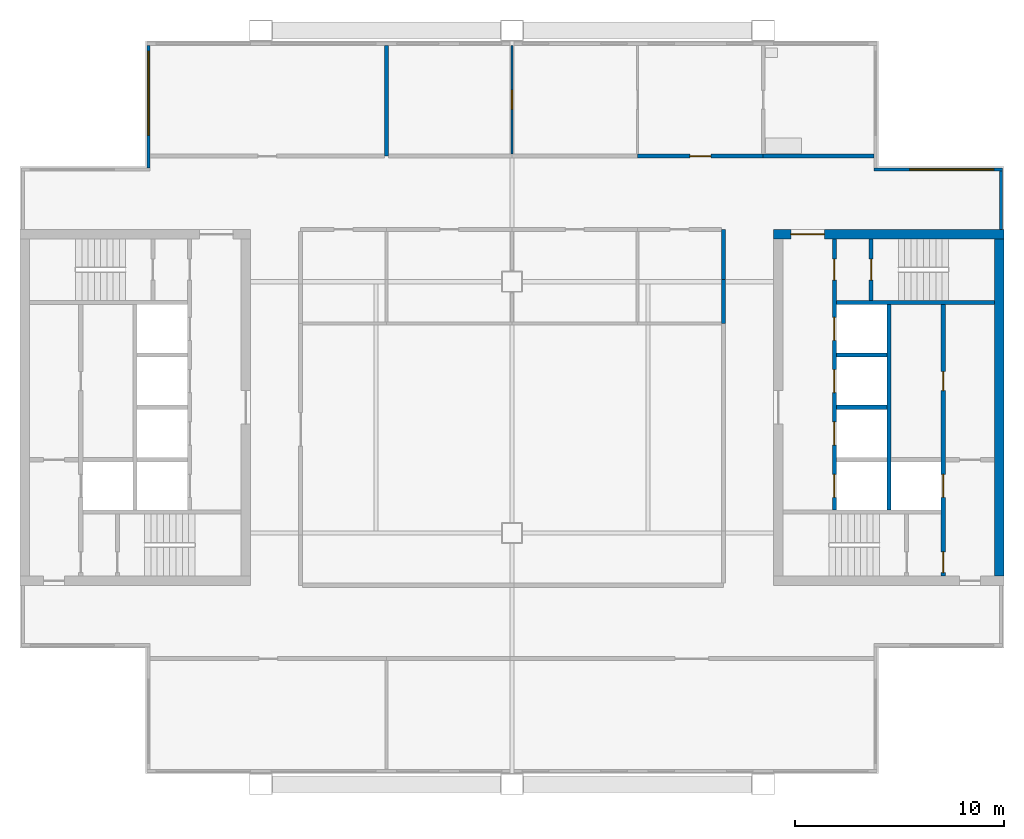
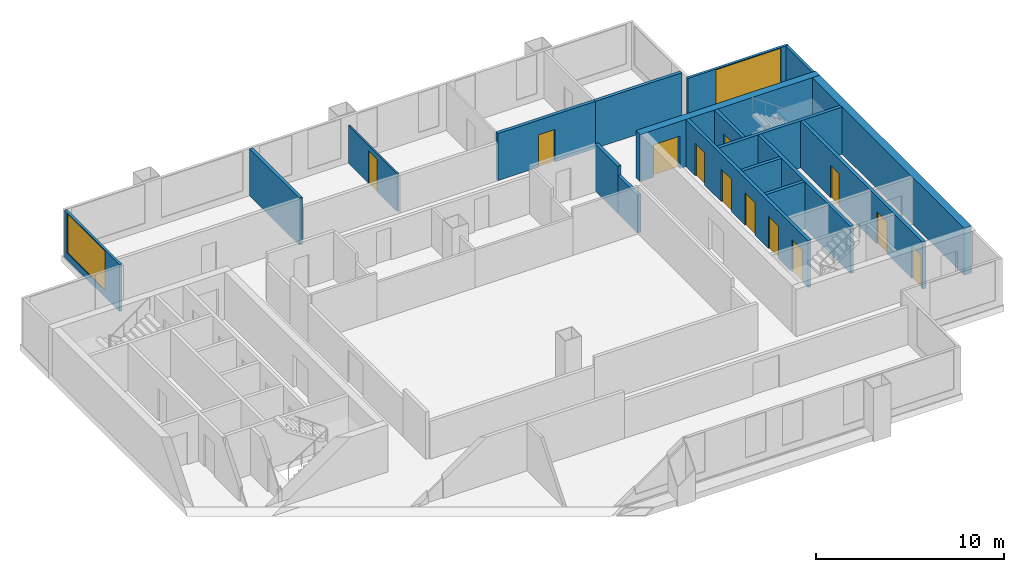
# One storey, part 4 of 7: 18 walls, 12 doors, 2 windows, 14 openings.
"""IFC4 building model written with IfcOpenShell, lengths in metres."""

from ifc_helpers import new_model, si_unit, direction, frame, frame_2d, origin, place, context, subcontext, project, spatial, rectangle, extrude, material, layer, layer_set, type_object, element, fill, save


model = new_model("IFC4")

# Units and contexts
model_context = context("Model", 3, precision=1e-05, world=origin(), true_north=direction((0.0, 1.0)))
body_context = subcontext(model_context, "Body", "Model", "MODEL_VIEW")
ifc_project = project(units=[si_unit("LENGTHUNIT", "METRE"), si_unit("AREAUNIT", "SQUARE_METRE"), si_unit("VOLUMEUNIT", "CUBIC_METRE"), si_unit("PLANEANGLEUNIT", "RADIAN"), si_unit("MASSUNIT", "GRAM", prefix="KILO")], contexts=[model_context])

# Site, building, storey
site_placement = place(None, origin())
site = spatial("IfcSite", under=ifc_project, at=site_placement, CompositionType="ELEMENT")
building_placement = place(site_placement, origin())
building = spatial("IfcBuilding", under=site, at=building_placement, Name="Kitamizu Gate Tower and Museum", CompositionType="ELEMENT")
storey_placement = place(building_placement, frame((0.0, 0.0, 242.10009765625)))
storey = spatial("IfcBuildingStorey", under=building, at=storey_placement, Name="L65", CompositionType="ELEMENT", Elevation=242.10009765625)

# Wall, opening, door
ifc_material_1 = material(Name="Concrete Fc42", Category="concrete")
ifc_layer_1 = layer(ifc_material_1, 0.449951171875)
ifc_layer_set_1 = layer_set([ifc_layer_1], Name="Concrete Fc42")
wall_type_1 = type_object("IfcWallType", Name="Core wall 450", PredefinedType="SHEAR", material=ifc_layer_set_1)
wall_1_placement = place(storey_placement, frame((59.5, 38.27490234375, 0.0), z_axis=(0.0, 0.0, 1.0), x_axis=(-1.0, 0.0, 0.0)))
wall_1 = element("IfcWall", 1, at=wall_1_placement, inside=storey, type_object=wall_type_1, Name="Core wall EN", PredefinedType="SHEAR", context=body_context, shape_type="SweptSolid", body=[
    extrude(rectangle(XDim=11.0, YDim=0.449951171875, at=frame_2d((5.5, 0.0))), origin(), (0.0, 0.0, 1.0), 3.0498046875),
])
opening_1_placement = place(wall_1_placement, frame((8.574951171875, 0.0, 0.0)))
opening_1 = element("IfcOpeningElement", 2, at=opening_1_placement, cuts=wall_1, Name="Opening L65-028", PredefinedType="OPENING", context=body_context, shape_type="SweptSolid", body=[
    extrude(rectangle(XDim=1.60009765625, YDim=2.10009765625, at=frame_2d((0.800048828125, 1.050048828125))), frame((0.0, 0.23486328125, 0.0), z_axis=(0.0, -1.0, 0.0), x_axis=(1.0, 0.0, 0.0)), (0.0, 0.0, 1.0), 0.469970703125),
])
ifc_material_2 = material(Name="Timber door set", Category="wood")
door_type_1 = type_object("IfcDoorType", Name="Entrance door 1600", OperationType="DOUBLE_DOOR_SINGLE_SWING", PredefinedType="DOOR", material=ifc_material_2)
door_1_placement = place(opening_1_placement, origin())
door_1 = element("IfcDoor", 3, at=door_1_placement, inside=storey, type_object=door_type_1, Name="Lobby door L65-028", OperationType="DOUBLE_DOOR_SINGLE_SWING", OverallHeight=2.10009765625, OverallWidth=1.60009765625, PredefinedType="DOOR", context=body_context, shape_type="SweptSolid", body=[
    extrude(rectangle(XDim=1.60009765625, YDim=2.10009765625, at=frame_2d((0.800048828125, 1.050048828125))), frame((0.0, 0.02490234375, 0.0), z_axis=(0.0, -1.0, 0.0), x_axis=(1.0, 0.0, 0.0)), (0.0, 0.0, 1.0), 0.050048828125),
])
fill(opening_1, door_1)

# Wall
wall_2_placement = place(storey_placement, frame((59.27490234375, 21.949951171875, 0.0), z_axis=(0.0, 0.0, 1.0), x_axis=(0.0, 1.0, 0.0)))
element("IfcWall", 4, at=wall_2_placement, inside=storey, type_object=wall_type_1, Name="Core wall EOUT", PredefinedType="SHEAR", context=body_context, shape_type="SweptSolid", body=[
    extrude(rectangle(XDim=16.10009765625, YDim=0.449951171875, at=frame_2d((8.050048828125, 0.0))), origin(), (0.0, 0.0, 1.0), 3.0498046875),
])

# Wall, opening, door
ifc_material_3 = material(Name="Gypsum board on galvanised stud")
ifc_layer_2 = layer(ifc_material_3, 0.10009765625)
ifc_layer_set_2 = layer_set([ifc_layer_2], Name="Gypsum board on galvanised stud")
wall_type_2 = type_object("IfcWallType", Name="Partition 100 NOT RATED", PredefinedType="PARTITIONING", material=ifc_layer_set_2)
wall_3_placement = place(storey_placement, frame((36.0, 42.10009765625, 0.0), z_axis=(0.0, 0.0, 1.0), x_axis=(0.0, 1.0, 0.0)))
wall_3 = element("IfcWall", 5, at=wall_3_placement, inside=storey, type_object=wall_type_2, Name="Partition L65-003", PredefinedType="PARTITIONING", context=body_context, shape_type="SweptSolid", body=[
    extrude(rectangle(XDim=5.179931640625, YDim=0.10009765625, at=frame_2d((2.58984375, 0.0))), origin(), (0.0, 0.0, 1.0), 2.449951171875),
])
opening_2_placement = place(wall_3_placement, frame((2.139892578125, 0.0, 0.0)))
opening_2 = element("IfcOpeningElement", 6, at=opening_2_placement, cuts=wall_3, Name="Opening L65-003", PredefinedType="OPENING", context=body_context, shape_type="SweptSolid", body=[
    extrude(rectangle(XDim=0.89990234375, YDim=2.10009765625, at=frame_2d((0.449951171875, 1.050048828125))), frame((0.0, 0.06005859375, 0.0), z_axis=(0.0, -1.0, 0.0), x_axis=(1.0, 0.0, 0.0)), (0.0, 0.0, 1.0), 0.1201171875),
])
ifc_material_4 = material(Name="Timber door set", Category="wood")
door_type_2 = type_object("IfcDoorType", Name="Room door 900", OperationType="NOTDEFINED", PredefinedType="DOOR", material=ifc_material_4)
door_2_placement = place(opening_2_placement, origin())
door_2 = element("IfcDoor", 7, at=door_2_placement, inside=storey, type_object=door_type_2, Name="Door L65-003", OperationType="SINGLE_SWING_RIGHT", OverallHeight=2.10009765625, OverallWidth=0.89990234375, PredefinedType="DOOR", context=body_context, shape_type="SweptSolid", body=[
    extrude(rectangle(XDim=0.89990234375, YDim=2.10009765625, at=frame_2d((0.449951171875, 1.050048828125))), frame((0.0, 0.02490234375, 0.0), z_axis=(0.0, -1.0, 0.0), x_axis=(1.0, 0.0, 0.0)), (0.0, 0.0, 1.0), 0.050048828125),
])
fill(opening_2, door_2)

# Wall
ifc_material_5 = material(Name="Gypsum board on galvanised stud")
ifc_layer_3 = layer(ifc_material_5, 0.199951171875)
ifc_layer_set_3 = layer_set([ifc_layer_3], Name="Gypsum board on galvanised stud")
wall_type_3 = type_object("IfcWallType", Name="Partition 200", PredefinedType="PARTITIONING", material=ifc_layer_set_3)
wall_4_placement = place(storey_placement, frame((30.0, 42.0, 0.0), z_axis=(0.0, 0.0, 1.0), x_axis=(0.0, 1.0, 0.0)))
element("IfcWall", 8, at=wall_4_placement, inside=storey, type_object=wall_type_3, Name="Partition L65-001", PredefinedType="PARTITIONING", context=body_context, shape_type="SweptSolid", body=[
    extrude(rectangle(XDim=5.280029296875, YDim=0.199951171875, at=frame_2d((2.64013671875, 0.0))), origin(), (0.0, 0.0, 1.0), 3.0498046875),
])

# Wall, opening, door
wall_5_placement = place(storey_placement, frame((42.0, 42.0, 0.0), z_axis=(0.0, 0.0, 1.0), x_axis=(1.0, 0.0, 0.0)))
wall_5 = element("IfcWall", 9, at=wall_5_placement, inside=storey, type_object=wall_type_3, Name="Partition L65-008", PredefinedType="PARTITIONING", context=body_context, shape_type="SweptSolid", body=[
    extrude(rectangle(XDim=6.0, YDim=0.199951171875, at=frame_2d((3.0, 0.0))), origin(), (0.0, 0.0, 1.0), 3.0498046875),
])
opening_3_placement = place(wall_5_placement, frame((2.5, 0.0, 0.0)))
opening_3 = element("IfcOpeningElement", 10, at=opening_3_placement, cuts=wall_5, Name="Opening L65-001", PredefinedType="OPENING", context=body_context, shape_type="SweptSolid", body=[
    extrude(rectangle(XDim=1.0, YDim=2.10009765625, at=frame_2d((0.5, 1.050048828125))), frame((0.0, 0.10986328125, 0.0), z_axis=(0.0, -1.0, 0.0), x_axis=(1.0, 0.0, 0.0)), (0.0, 0.0, 1.0), 0.219970703125),
])
ifc_material_6 = material(Name="Timber door set", Category="wood")
door_type_3 = type_object("IfcDoorType", Name="Flat entrance door 1000", OperationType="NOTDEFINED", PredefinedType="DOOR", material=ifc_material_6)
door_3_placement = place(opening_3_placement, origin())
door_3 = element("IfcDoor", 11, at=door_3_placement, inside=storey, type_object=door_type_3, Name="Flat entrance door L65-001", OperationType="SINGLE_SWING_RIGHT", OverallHeight=2.10009765625, OverallWidth=1.0, PredefinedType="DOOR", context=body_context, shape_type="SweptSolid", body=[
    extrude(rectangle(XDim=1.0, YDim=2.10009765625, at=frame_2d((0.5, 1.050048828125))), frame((0.0, 0.02490234375, 0.0), z_axis=(0.0, -1.0, 0.0), x_axis=(1.0, 0.0, 0.0)), (0.0, 0.0, 1.0), 0.050048828125),
])
fill(opening_3, door_3)

# Walls
wall_6_placement = place(storey_placement, frame((48.0, 42.0, 0.0), z_axis=(0.0, 0.0, 1.0), x_axis=(1.0, 0.0, 0.0)))
element("IfcWall", 12, at=wall_6_placement, inside=storey, type_object=wall_type_3, Name="Partition L65-009", PredefinedType="PARTITIONING", context=body_context, shape_type="SweptSolid", body=[
    extrude(rectangle(XDim=5.280029296875, YDim=0.199951171875, at=frame_2d((2.64013671875, 0.0))), origin(), (0.0, 0.0, 1.0), 3.0498046875),
])
wall_7_placement = place(storey_placement, frame((46.10009765625, 34.0, 0.0), z_axis=(0.0, 0.0, 1.0), x_axis=(0.0, 1.0, 0.0)))
element("IfcWall", 13, at=wall_7_placement, inside=storey, type_object=wall_type_3, Name="Partition L65-025", PredefinedType="PARTITIONING", context=body_context, shape_type="SweptSolid", body=[
    extrude(rectangle(XDim=2.10009765625, YDim=0.199951171875, at=frame_2d((1.050048828125, 0.0))), origin(), (0.0, 0.0, 1.0), 2.449951171875),
])
wall_8_placement = place(storey_placement, frame((46.10009765625, 36.10009765625, 0.0), z_axis=(0.0, 0.0, 1.0), x_axis=(0.0, 1.0, 0.0)))
element("IfcWall", 14, at=wall_8_placement, inside=storey, type_object=wall_type_3, Name="Partition L65-026", PredefinedType="PARTITIONING", context=body_context, shape_type="SweptSolid", body=[
    extrude(rectangle(XDim=2.39990234375, YDim=0.199951171875, at=frame_2d((1.199951171875, 0.0))), origin(), (0.0, 0.0, 1.0), 3.0498046875),
])

# Wall, openings, doors
ifc_material_7 = material(Name="Concrete Fc42", Category="concrete")
ifc_layer_4 = layer(ifc_material_7, 0.199951171875)
ifc_layer_set_4 = layer_set([ifc_layer_4], Name="Concrete Fc42")
wall_type_4 = type_object("IfcWallType", Name="Shaft wall 200", PredefinedType="SOLIDWALL", material=ifc_layer_set_4)
wall_9_placement = place(storey_placement, frame((56.60009765625, 21.949951171875, 0.0), z_axis=(0.0, 0.0, 1.0), x_axis=(0.0, 1.0, 0.0)))
wall_9 = element("IfcWall", 15, at=wall_9_placement, inside=storey, type_object=wall_type_4, Name="Shaft wall EWEST", PredefinedType="SOLIDWALL", context=body_context, shape_type="SweptSolid", body=[
    extrude(rectangle(XDim=12.949951171875, YDim=0.199951171875, at=frame_2d((6.47509765625, 0.0))), origin(), (0.0, 0.0, 1.0), 3.0498046875),
])
opening_4_placement = place(wall_9_placement, frame((3.75, 0.0, 0.0)))
opening_4 = element("IfcOpeningElement", 16, at=opening_4_placement, cuts=wall_9, Name="Opening LD", PredefinedType="OPENING", context=body_context, shape_type="SweptSolid", body=[
    extrude(rectangle(XDim=1.10009765625, YDim=2.10009765625, at=frame_2d((0.550048828125, 1.050048828125))), frame((0.0, 0.10986328125, 0.0), z_axis=(0.0, -1.0, 0.0), x_axis=(1.0, 0.0, 0.0)), (0.0, 0.0, 1.0), 0.219970703125),
])
opening_5_placement = place(wall_9_placement, frame((0.14990234375, 0.0, 0.0)))
opening_5 = element("IfcOpeningElement", 17, at=opening_5_placement, cuts=wall_9, Name="Opening L65-023", PredefinedType="OPENING", context=body_context, shape_type="SweptSolid", body=[
    extrude(rectangle(XDim=1.0, YDim=2.10009765625, at=frame_2d((0.5, 1.050048828125))), frame((0.0, 0.10986328125, 0.0), z_axis=(0.0, -1.0, 0.0), x_axis=(1.0, 0.0, 0.0)), (0.0, 0.0, 1.0), 0.219970703125),
])
opening_6_placement = place(wall_9_placement, frame((8.85009765625, 0.0, 0.0)))
opening_6 = element("IfcOpeningElement", 18, at=opening_6_placement, cuts=wall_9, Name="Opening L65-030", PredefinedType="OPENING", context=body_context, shape_type="SweptSolid", body=[
    extrude(rectangle(XDim=0.89990234375, YDim=2.10009765625, at=frame_2d((0.449951171875, 1.050048828125))), frame((0.0, 0.10986328125, 0.0), z_axis=(0.0, -1.0, 0.0), x_axis=(1.0, 0.0, 0.0)), (0.0, 0.0, 1.0), 0.219970703125),
])
ifc_material_8 = material(Name="Hollow metal door set")
door_type_4 = type_object("IfcDoorType", Name="Fire door 1000", OperationType="NOTDEFINED", PredefinedType="DOOR", material=ifc_material_8)
door_4_placement = place(opening_5_placement, origin())
door_4 = element("IfcDoor", 19, at=door_4_placement, inside=storey, type_object=door_type_4, Name="Stair lobby door L65-023", OperationType="SINGLE_SWING_RIGHT", OverallHeight=2.10009765625, OverallWidth=1.0, PredefinedType="DOOR", context=body_context, shape_type="SweptSolid", body=[
    extrude(rectangle(XDim=1.0, YDim=2.10009765625, at=frame_2d((0.5, 1.050048828125))), frame((0.0, 0.02490234375, 0.0), z_axis=(0.0, -1.0, 0.0), x_axis=(1.0, 0.0, 0.0)), (0.0, 0.0, 1.0), 0.050048828125),
])
fill(opening_5, door_4)
ifc_material_9 = material(Name="Hollow metal door set")
door_type_5 = type_object("IfcDoorType", Name="Landing door 1100", OperationType="SLIDING_TO_LEFT", PredefinedType="DOOR", material=ifc_material_9)
door_5_placement = place(opening_4_placement, origin())
door_5 = element("IfcDoor", 20, at=door_5_placement, inside=storey, type_object=door_type_5, Name="Landing door EFF1", OperationType="SLIDING_TO_LEFT", OverallHeight=2.10009765625, OverallWidth=1.10009765625, PredefinedType="DOOR", context=body_context, shape_type="SweptSolid", body=[
    extrude(rectangle(XDim=1.10009765625, YDim=2.10009765625, at=frame_2d((0.550048828125, 1.050048828125))), frame((0.0, 0.02490234375, 0.0), z_axis=(0.0, -1.0, 0.0), x_axis=(1.0, 0.0, 0.0)), (0.0, 0.0, 1.0), 0.050048828125),
])
fill(opening_4, door_5)
ifc_material_10 = material(Name="Timber door set", Category="wood")
door_type_6 = type_object("IfcDoorType", Name="Service door 900", OperationType="NOTDEFINED", PredefinedType="DOOR", material=ifc_material_10)
door_6_placement = place(opening_6_placement, origin())
door_6 = element("IfcDoor", 21, at=door_6_placement, inside=storey, type_object=door_type_6, Name="Service door L65-030", OperationType="SINGLE_SWING_LEFT", OverallHeight=2.10009765625, OverallWidth=0.89990234375, PredefinedType="DOOR", context=body_context, shape_type="SweptSolid", body=[
    extrude(rectangle(XDim=0.89990234375, YDim=2.10009765625, at=frame_2d((0.449951171875, 1.050048828125))), frame((0.0, 0.02490234375, 0.0), z_axis=(0.0, -1.0, 0.0), x_axis=(1.0, 0.0, 0.0)), (0.0, 0.0, 1.0), 0.050048828125),
])
fill(opening_6, door_6)

wall_10_placement = place(storey_placement, frame((51.39990234375, 25.10009765625, 0.0), z_axis=(0.0, 0.0, 1.0), x_axis=(0.0, 1.0, 0.0)))
wall_10 = element("IfcWall", 22, at=wall_10_placement, inside=storey, type_object=wall_type_4, Name="Shaft wall EEAST", PredefinedType="SOLIDWALL", context=body_context, shape_type="SweptSolid", body=[
    extrude(rectangle(XDim=12.949951171875, YDim=0.199951171875, at=frame_2d((6.47509765625, 0.0))), origin(), (0.0, 0.0, 1.0), 3.0498046875),
])
opening_7_placement = place(wall_10_placement, frame((0.60009765625, 0.0, 0.0)))
opening_7 = element("IfcOpeningElement", 23, at=opening_7_placement, cuts=wall_10, Name="Opening LD", PredefinedType="OPENING", context=body_context, shape_type="SweptSolid", body=[
    extrude(rectangle(XDim=1.10009765625, YDim=2.10009765625, at=frame_2d((0.550048828125, 1.050048828125))), frame((0.0, 0.10986328125, 0.0), z_axis=(0.0, -1.0, 0.0), x_axis=(1.0, 0.0, 0.0)), (0.0, 0.0, 1.0), 0.219970703125),
])
opening_8_placement = place(wall_10_placement, frame((3.10009765625, 0.0, 0.0)))
opening_8 = element("IfcOpeningElement", 24, at=opening_8_placement, cuts=wall_10, Name="Opening LD", PredefinedType="OPENING", context=body_context, shape_type="SweptSolid", body=[
    extrude(rectangle(XDim=1.10009765625, YDim=2.10009765625, at=frame_2d((0.550048828125, 1.050048828125))), frame((0.0, 0.10986328125, 0.0), z_axis=(0.0, -1.0, 0.0), x_axis=(1.0, 0.0, 0.0)), (0.0, 0.0, 1.0), 0.219970703125),
])
opening_9_placement = place(wall_10_placement, frame((5.60009765625, 0.0, 0.0)))
opening_9 = element("IfcOpeningElement", 25, at=opening_9_placement, cuts=wall_10, Name="Opening LD", PredefinedType="OPENING", context=body_context, shape_type="SweptSolid", body=[
    extrude(rectangle(XDim=1.10009765625, YDim=2.10009765625, at=frame_2d((0.550048828125, 1.050048828125))), frame((0.0, 0.10986328125, 0.0), z_axis=(0.0, -1.0, 0.0), x_axis=(1.0, 0.0, 0.0)), (0.0, 0.0, 1.0), 0.219970703125),
])
opening_10_placement = place(wall_10_placement, frame((8.10009765625, 0.0, 0.0)))
opening_10 = element("IfcOpeningElement", 26, at=opening_10_placement, cuts=wall_10, Name="Opening LD", PredefinedType="OPENING", context=body_context, shape_type="SweptSolid", body=[
    extrude(rectangle(XDim=1.10009765625, YDim=2.10009765625, at=frame_2d((0.550048828125, 1.050048828125))), frame((0.0, 0.10986328125, 0.0), z_axis=(0.0, -1.0, 0.0), x_axis=(1.0, 0.0, 0.0)), (0.0, 0.0, 1.0), 0.219970703125),
])
opening_11_placement = place(wall_10_placement, frame((10.97509765625, 0.0, 0.0)))
opening_11 = element("IfcOpeningElement", 27, at=opening_11_placement, cuts=wall_10, Name="Opening L65-024", PredefinedType="OPENING", context=body_context, shape_type="SweptSolid", body=[
    extrude(rectangle(XDim=1.0, YDim=2.10009765625, at=frame_2d((0.5, 1.050048828125))), frame((0.0, 0.10986328125, 0.0), z_axis=(0.0, -1.0, 0.0), x_axis=(1.0, 0.0, 0.0)), (0.0, 0.0, 1.0), 0.219970703125),
])
door_7_placement = place(opening_11_placement, frame((1.0, 0.0, 0.0), x_axis=(-1.0, 0.0, 0.0)))
door_7 = element("IfcDoor", 28, at=door_7_placement, inside=storey, type_object=door_type_4, Name="Stair lobby door L65-024", OperationType="SINGLE_SWING_RIGHT", OverallHeight=2.10009765625, OverallWidth=1.0, PredefinedType="DOOR", context=body_context, shape_type="SweptSolid", body=[
    extrude(rectangle(XDim=1.0, YDim=2.10009765625, at=frame_2d((0.5, 1.050048828125))), frame((0.0, 0.02490234375, 0.0), z_axis=(0.0, -1.0, 0.0), x_axis=(1.0, 0.0, 0.0)), (0.0, 0.0, 1.0), 0.050048828125),
])
fill(opening_11, door_7)
door_8_placement = place(opening_7_placement, origin())
door_8 = element("IfcDoor", 29, at=door_8_placement, inside=storey, type_object=door_type_5, Name="Landing door ESV1", OperationType="SLIDING_TO_LEFT", OverallHeight=2.10009765625, OverallWidth=1.10009765625, PredefinedType="DOOR", context=body_context, shape_type="SweptSolid", body=[
    extrude(rectangle(XDim=1.10009765625, YDim=2.10009765625, at=frame_2d((0.550048828125, 1.050048828125))), frame((0.0, 0.02490234375, 0.0), z_axis=(0.0, -1.0, 0.0), x_axis=(1.0, 0.0, 0.0)), (0.0, 0.0, 1.0), 0.050048828125),
])
fill(opening_7, door_8)
door_9_placement = place(opening_8_placement, origin())
door_9 = element("IfcDoor", 30, at=door_9_placement, inside=storey, type_object=door_type_5, Name="Landing door EH1", OperationType="SLIDING_TO_LEFT", OverallHeight=2.10009765625, OverallWidth=1.10009765625, PredefinedType="DOOR", context=body_context, shape_type="SweptSolid", body=[
    extrude(rectangle(XDim=1.10009765625, YDim=2.10009765625, at=frame_2d((0.550048828125, 1.050048828125))), frame((0.0, 0.02490234375, 0.0), z_axis=(0.0, -1.0, 0.0), x_axis=(1.0, 0.0, 0.0)), (0.0, 0.0, 1.0), 0.050048828125),
])
fill(opening_8, door_9)
door_10_placement = place(opening_9_placement, origin())
door_10 = element("IfcDoor", 31, at=door_10_placement, inside=storey, type_object=door_type_5, Name="Landing door EH2", OperationType="SLIDING_TO_LEFT", OverallHeight=2.10009765625, OverallWidth=1.10009765625, PredefinedType="DOOR", context=body_context, shape_type="SweptSolid", body=[
    extrude(rectangle(XDim=1.10009765625, YDim=2.10009765625, at=frame_2d((0.550048828125, 1.050048828125))), frame((0.0, 0.02490234375, 0.0), z_axis=(0.0, -1.0, 0.0), x_axis=(1.0, 0.0, 0.0)), (0.0, 0.0, 1.0), 0.050048828125),
])
fill(opening_9, door_10)
door_11_placement = place(opening_10_placement, origin())
door_11 = element("IfcDoor", 32, at=door_11_placement, inside=storey, type_object=door_type_5, Name="Landing door EH3", OperationType="SLIDING_TO_LEFT", OverallHeight=2.10009765625, OverallWidth=1.10009765625, PredefinedType="DOOR", context=body_context, shape_type="SweptSolid", body=[
    extrude(rectangle(XDim=1.10009765625, YDim=2.10009765625, at=frame_2d((0.550048828125, 1.050048828125))), frame((0.0, 0.02490234375, 0.0), z_axis=(0.0, -1.0, 0.0), x_axis=(1.0, 0.0, 0.0)), (0.0, 0.0, 1.0), 0.050048828125),
])
fill(opening_10, door_11)

# Walls
wall_11_placement = place(storey_placement, frame((54.0, 25.10009765625, 0.0), z_axis=(0.0, 0.0, 1.0), x_axis=(0.0, 1.0, 0.0)))
element("IfcWall", 33, at=wall_11_placement, inside=storey, type_object=wall_type_4, Name="Shaft wall EMID", PredefinedType="SOLIDWALL", context=body_context, shape_type="SweptSolid", body=[
    extrude(rectangle(XDim=9.7998046875, YDim=0.199951171875, at=frame_2d((4.89990234375, 0.0))), origin(), (0.0, 0.0, 1.0), 3.0498046875),
])
wall_12_placement = place(storey_placement, frame((59.050048828125, 35.0, 0.0), z_axis=(0.0, 0.0, 1.0), x_axis=(-1.0, 0.0, 0.0)))
element("IfcWall", 34, at=wall_12_placement, inside=storey, type_object=wall_type_4, Name="Shaft wall ENB", PredefinedType="SOLIDWALL", context=body_context, shape_type="SweptSolid", body=[
    extrude(rectangle(XDim=7.550048828125, YDim=0.199951171875, at=frame_2d((3.77490234375, 0.0))), origin(), (0.0, 0.0, 1.0), 3.0498046875),
])

# Wall, opening, door
wall_13_placement = place(storey_placement, frame((53.14990234375, 35.10009765625, 0.0), z_axis=(0.0, 0.0, 1.0), x_axis=(0.0, 1.0, 0.0)))
wall_13 = element("IfcWall", 35, at=wall_13_placement, inside=storey, type_object=wall_type_4, Name="Shaft wall ENZ", PredefinedType="SOLIDWALL", context=body_context, shape_type="SweptSolid", body=[
    extrude(rectangle(XDim=2.949951171875, YDim=0.199951171875, at=frame_2d((1.47509765625, 0.0))), origin(), (0.0, 0.0, 1.0), 3.0498046875),
])
opening_12_placement = place(wall_13_placement, frame((0.97509765625, 0.0, 0.0)))
opening_12 = element("IfcOpeningElement", 36, at=opening_12_placement, cuts=wall_13, Name="Opening L65-025", PredefinedType="OPENING", context=body_context, shape_type="SweptSolid", body=[
    extrude(rectangle(XDim=1.0, YDim=2.10009765625, at=frame_2d((0.5, 1.050048828125))), frame((0.0, 0.10986328125, 0.0), z_axis=(0.0, -1.0, 0.0), x_axis=(1.0, 0.0, 0.0)), (0.0, 0.0, 1.0), 0.219970703125),
])
door_12_placement = place(opening_12_placement, frame((1.0, 0.0, 0.0), x_axis=(-1.0, 0.0, 0.0)))
door_12 = element("IfcDoor", 37, at=door_12_placement, inside=storey, type_object=door_type_4, Name="Stair door L65-025", OperationType="SINGLE_SWING_LEFT", OverallHeight=2.10009765625, OverallWidth=1.0, PredefinedType="DOOR", context=body_context, shape_type="SweptSolid", body=[
    extrude(rectangle(XDim=1.0, YDim=2.10009765625, at=frame_2d((0.5, 1.050048828125))), frame((0.0, 0.02490234375, 0.0), z_axis=(0.0, -1.0, 0.0), x_axis=(1.0, 0.0, 0.0)), (0.0, 0.0, 1.0), 0.050048828125),
])
fill(opening_12, door_12)

# Walls
for number, where, z_axis, x_axis, name in (
    (38, (53.89990234375, 30.0, 0.0), (0.0, 0.0, 1.0), (-1.0, 0.0, 0.0), "Shaft wall EDVE1"),
    (39, (53.89990234375, 32.5, 0.0), (0.0, 0.0, 1.0), (-1.0, 0.0, 0.0), "Shaft wall EDVE2"),
):
    element("IfcWall", number, at=place(storey_placement, frame(where, z_axis=z_axis, x_axis=x_axis)), inside=storey, type_object=wall_type_4, Name=name, PredefinedType="SOLIDWALL", context=body_context, shape_type="SweptSolid", body=[
        extrude(rectangle(XDim=2.39990234375, YDim=0.199951171875, at=frame_2d((1.199951171875, 0.0))), origin(), (0.0, 0.0, 1.0), 3.0498046875),
    ])
ifc_material_11 = material(Name="Bronze anodised aluminium frame with insulated spandrel and tinted glass", Category="aluminium")
ifc_layer_5 = layer(ifc_material_11, 0.14990234375)
ifc_layer_set_5 = layer_set([ifc_layer_5], Name="Bronze anodised aluminium frame with insulated spandrel and tinted glass")
wall_type_5 = type_object("IfcWallType", Name="WINDOW WALL 150 BRONZE FRAME EI 30", PredefinedType="ELEMENTEDWALL", material=ifc_layer_set_5)
wall_14_placement = place(storey_placement, frame((59.364990234375, 38.5, 0.0), z_axis=(0.0, 0.0, 1.0), x_axis=(0.0, 1.0, 0.0)))
element("IfcWall", 40, at=wall_14_placement, inside=storey, type_object=wall_type_5, Name="Window wall east L65", PredefinedType="ELEMENTEDWALL", context=body_context, shape_type="SweptSolid", body=[
    extrude(rectangle(XDim=2.7900390625, YDim=0.14990234375, at=frame_2d((1.39501953125, 0.0))), origin(), (0.0, 0.0, 1.0), 3.0498046875),
])

# Wall, opening, window
wall_15_placement = place(storey_placement, frame((53.2900390625, 41.364990234375, 0.0), z_axis=(0.0, 0.0, 1.0), x_axis=(1.0, 0.0, 0.0)))
wall_15 = element("IfcWall", 41, at=wall_15_placement, inside=storey, type_object=wall_type_5, Name="Window wall north L65", PredefinedType="ELEMENTEDWALL", context=body_context, shape_type="SweptSolid", body=[
    extrude(rectangle(XDim=6.14990234375, YDim=0.14990234375, at=frame_2d((3.074951171875, 0.0))), origin(), (0.0, 0.0, 1.0), 3.0498046875),
])
opening_13_placement = place(wall_15_placement, frame((1.7099609375, 0.0, 0.449951171875)))
opening_13 = element("IfcOpeningElement", 42, at=opening_13_placement, cuts=wall_15, Name="Opening W16", PredefinedType="OPENING", context=body_context, shape_type="SweptSolid", body=[
    extrude(rectangle(XDim=4.0, YDim=2.550048828125, at=frame_2d((2.0, 1.27490234375))), frame((0.0, 0.0849609375, 0.0), z_axis=(0.0, -1.0, 0.0), x_axis=(1.0, 0.0, 0.0)), (0.0, 0.0, 1.0), 0.169921875),
])
ifc_material_12 = material(Name="Bronze anodised aluminium frame, tinted triple glazing", Category="aluminium")
window_type = type_object("IfcWindowType", Name="WINDOW 4000 x 2550 SILL 450", PartitioningType="SINGLE_PANEL", PredefinedType="WINDOW", material=ifc_material_12)
window_1_placement = place(opening_13_placement, origin())
window_1 = element("IfcWindow", 43, at=window_1_placement, inside=storey, type_object=window_type, Name="Window W16 L65", OverallHeight=2.550048828125, OverallWidth=4.0, PartitioningType="SINGLE_PANEL", PredefinedType="WINDOW", context=body_context, shape_type="SweptSolid", body=[
    extrude(rectangle(XDim=4.0, YDim=2.550048828125, at=frame_2d((2.0, 1.27490234375))), frame((0.0, 0.030029296875, 0.0), z_axis=(0.0, -1.0, 0.0), x_axis=(1.0, 0.0, 0.0)), (0.0, 0.0, 1.0), 0.06005859375),
])
fill(opening_13, window_1)

wall_16_placement = place(storey_placement, frame((18.635009765625, 41.43994140625, 0.0), z_axis=(0.0, 0.0, 1.0), x_axis=(0.0, 1.0, 0.0)))
wall_16 = element("IfcWall", 44, at=wall_16_placement, inside=storey, type_object=wall_type_5, Name="Window wall west L65", PredefinedType="ELEMENTEDWALL", context=body_context, shape_type="SweptSolid", body=[
    extrude(rectangle(XDim=5.85009765625, YDim=0.14990234375, at=frame_2d((2.925048828125, 0.0))), origin(), (0.0, 0.0, 1.0), 3.0498046875),
])
opening_14_placement = place(wall_16_placement, frame((1.56005859375, 0.0, 0.449951171875)))
opening_14 = element("IfcOpeningElement", 45, at=opening_14_placement, cuts=wall_16, Name="Opening W16", PredefinedType="OPENING", context=body_context, shape_type="SweptSolid", body=[
    extrude(rectangle(XDim=4.0, YDim=2.550048828125, at=frame_2d((2.0, 1.27490234375))), frame((0.0, 0.0849609375, 0.0), z_axis=(0.0, -1.0, 0.0), x_axis=(1.0, 0.0, 0.0)), (0.0, 0.0, 1.0), 0.169921875),
])
window_2_placement = place(opening_14_placement, origin())
window_2 = element("IfcWindow", 46, at=window_2_placement, inside=storey, type_object=window_type, Name="Window W16 L65", OverallHeight=2.550048828125, OverallWidth=4.0, PartitioningType="SINGLE_PANEL", PredefinedType="WINDOW", context=body_context, shape_type="SweptSolid", body=[
    extrude(rectangle(XDim=4.0, YDim=2.550048828125, at=frame_2d((2.0, 1.27490234375))), frame((0.0, 0.030029296875, 0.0), z_axis=(0.0, -1.0, 0.0), x_axis=(1.0, 0.0, 0.0)), (0.0, 0.0, 1.0), 0.06005859375),
])
fill(opening_14, window_2)

save(model, "model.ifc")
